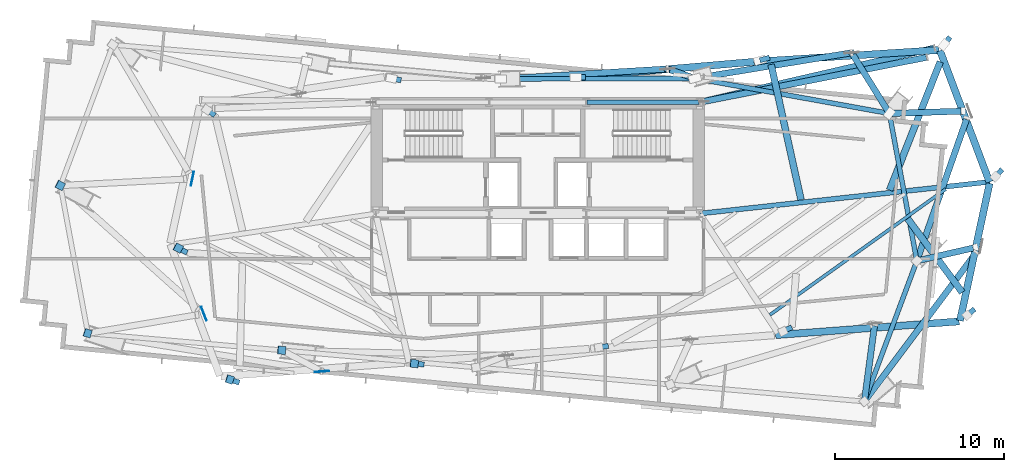
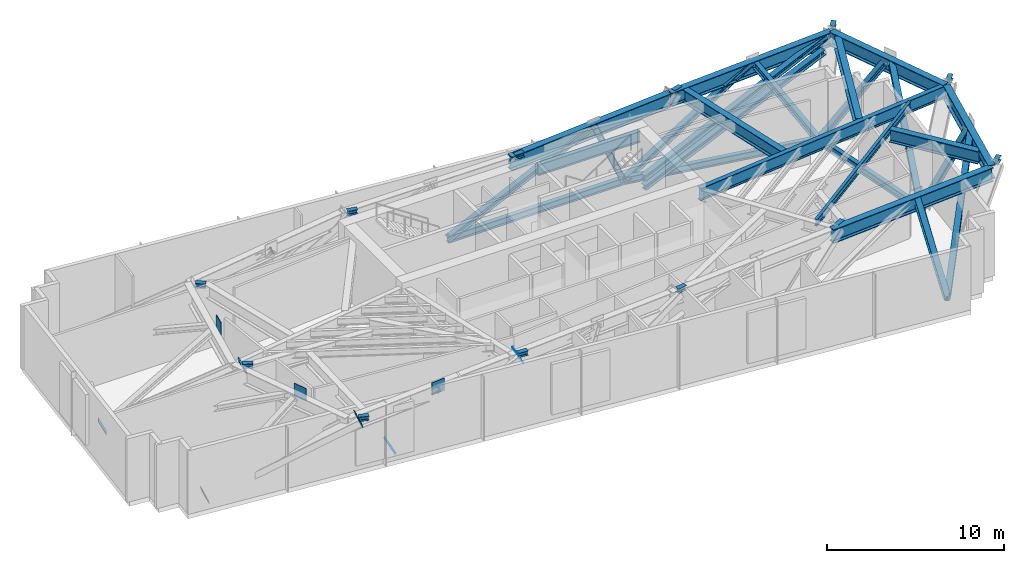
# One storey, part 3 of 10: 23 beams, 15 members, 9 plates.
"""IFC4 building model written with IfcOpenShell, lengths in metres."""

import ifcopenshell
import ifcopenshell.guid

model = None  # the IFC model being written
_history = None  # IfcOwnerHistory: only IFC2X3 demands one
_inside = {}  # id of a spatial element -> (the spatial element, [elements in it])
_under = {}  # id of a project, library or spatial element -> (it, [spatial elements below it])
_declared = {}  # id of a project -> (the project, [libraries it declares])
_typed = {}  # id of a type object -> (the type object, [elements of that type])
_made_of = {}  # id of a material, layer set ... -> (it, [elements and type objects made of it])


def new_model(schema):
    """Start an empty IFC model of exactly this schema.

    Asked for "IFC4X3", IfcOpenShell would pick the latest addendum, in which some entities
    have other attributes; the version numbers below select the first issue.
    IFC2X3 requires an IfcOwnerHistory on every rooted entity: one is made here for all.
    """
    global model, _history
    if schema == "IFC4X3":
        model = ifcopenshell.file(schema_version=(4, 3, 0, 0))
    else:
        model = ifcopenshell.file(schema=schema)
    _inside.clear()
    _under.clear()
    _declared.clear()
    _typed.clear()
    _made_of.clear()
    _history = None
    if model.schema == "IFC2X3":
        org = make("IfcOrganization", Name="unknown")
        user = make(
            "IfcPersonAndOrganization",
            ThePerson=make("IfcPerson", FamilyName="unknown"),
            TheOrganization=org,
        )
        app = make(
            "IfcApplication",
            ApplicationDeveloper=org,
            Version="unknown",
            ApplicationFullName="unknown",
            ApplicationIdentifier="unknown",
        )
        _history = make(
            "IfcOwnerHistory",
            OwningUser=user,
            OwningApplication=app,
            ChangeAction="ADDED",
            CreationDate=0,
        )
    return model


def make(cls, **values):
    """One entity of the class cls with the attributes given. An attribute that is None is left unset."""
    return model.create_entity(
        cls, **{name: value for name, value in values.items() if value is not None}
    )


def rooted(cls, **values):
    """An entity with a GlobalId (a new one), such as an element, a storey or a relation."""
    return make(cls, GlobalId=ifcopenshell.guid.new(), OwnerHistory=_history, **values)


def si_unit(unit_type, name, prefix=None):
    """IfcSIUnit, for example si_unit("LENGTHUNIT", "METRE", prefix="MILLI")."""
    return make("IfcSIUnit", UnitType=unit_type, Prefix=prefix, Name=name)


def assignment(units):
    """IfcUnitAssignment: the units of a project."""
    return None if units is None else make("IfcUnitAssignment", Units=units)


def point(xyz):
    """IfcCartesianPoint."""
    return None if xyz is None else make("IfcCartesianPoint", Coordinates=xyz)


def direction(xyz):
    """IfcDirection."""
    return None if xyz is None else make("IfcDirection", DirectionRatios=xyz)


def frame(location, z_axis=None, x_axis=None):
    """IfcAxis2Placement3D, a coordinate frame: its origin and axes. An axis left out is left unset."""
    return make(
        "IfcAxis2Placement3D",
        Location=point(location),
        Axis=direction(z_axis),
        RefDirection=direction(x_axis),
    )


def frame_2d(location, x_axis=None):
    """IfcAxis2Placement2D, a coordinate frame in the plane: its origin and x axis."""
    return make(
        "IfcAxis2Placement2D", Location=point(location), RefDirection=direction(x_axis)
    )


def origin():
    """The frame at (0, 0, 0) with its axes left unset."""
    return frame((0.0, 0.0, 0.0))


def origin_2d():
    """The frame at (0, 0) in the plane with its x axis left unset."""
    return frame_2d((0.0, 0.0))


def place(relative_to, where):
    """IfcLocalPlacement: puts the frame where relative to a parent placement (None: the world)."""
    return make(
        "IfcLocalPlacement", PlacementRelTo=relative_to, RelativePlacement=where
    )


def context(
    kind, dimensions, precision=None, world=None, true_north=None, identifier=None
):
    """IfcGeometricRepresentationContext, for example the 3D "Model" context."""
    return make(
        "IfcGeometricRepresentationContext",
        ContextIdentifier=identifier,
        ContextType=kind,
        CoordinateSpaceDimension=dimensions,
        Precision=precision,
        WorldCoordinateSystem=world,
        TrueNorth=true_north,
    )


def subcontext(parent, identifier, kind, view, scale=None):
    """IfcGeometricRepresentationSubContext, for example "Body" below "Model"."""
    return make(
        "IfcGeometricRepresentationSubContext",
        ContextIdentifier=identifier,
        ContextType=kind,
        ParentContext=parent,
        TargetScale=scale,
        TargetView=view,
    )


def project(units=None, contexts=None):
    """IfcProject with its units and contexts."""
    return rooted(
        "IfcProject",
        Name="project",
        RepresentationContexts=contexts,
        UnitsInContext=assignment(units),
    )


def spatial(cls, under=None, at=None, **own):
    """A site, building, storey or space (cls), placed at a placement, below another one or the project."""
    s = rooted(cls, ObjectPlacement=at, **own)
    if under is not None:
        _under.setdefault(under.id(), (under, []))[1].append(s)
    return s


def profile(cls, at=None, kind="AREA", **sizes):
    """A parametric profile (cls). Its sizes go by their IFC names, for example OverallWidth=200.0."""
    return make(cls, ProfileType=kind, Position=at, **sizes)


def rectangle(**sizes):
    """IfcRectangleProfileDef."""
    return profile("IfcRectangleProfileDef", **sizes)


def i_section(**sizes):
    """IfcIShapeProfileDef."""
    return profile("IfcIShapeProfileDef", **sizes)


def extrude(swept, where, along, depth):
    """IfcExtrudedAreaSolid: the profile swept, set in the frame where, extruded along a direction by depth."""
    return make(
        "IfcExtrudedAreaSolid",
        SweptArea=swept,
        Position=where,
        ExtrudedDirection=direction(along),
        Depth=depth,
    )


def shape(context_of_items, identifier, shape_type, items):
    """IfcShapeRepresentation: the items that make up one representation, for example the "Body"."""
    return make(
        "IfcShapeRepresentation",
        ContextOfItems=context_of_items,
        RepresentationIdentifier=identifier,
        RepresentationType=shape_type,
        Items=items,
    )


def source(mapping_origin, context_of_items, identifier, shape_type, items):
    """IfcRepresentationMap: a shape defined once, which mapped items show again and again."""
    return make(
        "IfcRepresentationMap",
        MappingOrigin=mapping_origin,
        MappedRepresentation=shape(context_of_items, identifier, shape_type, items),
    )


def transform(
    local_origin,
    x_axis=None,
    y_axis=None,
    z_axis=None,
    scale=None,
    scale2=None,
    scale3=None,
    uniform=True,
):
    """IfcCartesianTransformationOperator3D, or its non-uniform kind. x_axis, y_axis, z_axis: its Axis1, 2, 3."""
    if uniform:
        return make(
            "IfcCartesianTransformationOperator3D",
            Axis1=direction(x_axis),
            Axis2=direction(y_axis),
            LocalOrigin=point(local_origin),
            Scale=scale,
            Axis3=direction(z_axis),
        )
    return make(
        "IfcCartesianTransformationOperator3DnonUniform",
        Axis1=direction(x_axis),
        Axis2=direction(y_axis),
        LocalOrigin=point(local_origin),
        Scale=scale,
        Axis3=direction(z_axis),
        Scale2=scale2,
        Scale3=scale3,
    )


def mapped(mapping_source, mapping_target):
    """IfcMappedItem: shows the shape of a source again, moved by a transform."""
    return make(
        "IfcMappedItem", MappingSource=mapping_source, MappingTarget=mapping_target
    )


def material(Name=None, Category=None):
    """IfcMaterial."""
    return make("IfcMaterial", Name=Name, Category=Category)


def layer(
    of_material, thickness, ventilated=None, Name=None, Category=None, Priority=None
):
    """IfcMaterialLayer: one layer of a wall or slab, of a material (None: an air gap)."""
    return make(
        "IfcMaterialLayer",
        Material=of_material,
        LayerThickness=thickness,
        IsVentilated=ventilated,
        Name=Name,
        Category=Category,
        Priority=Priority,
    )


def layer_set(layers, Name=None):
    """IfcMaterialLayerSet."""
    return make("IfcMaterialLayerSet", MaterialLayers=layers, LayerSetName=Name)


def material_profile(
    of_material, cross_section, Name=None, Category=None, Priority=None
):
    """IfcMaterialProfile: a cross section and its material."""
    return make(
        "IfcMaterialProfile",
        Name=Name,
        Material=of_material,
        Profile=cross_section,
        Priority=Priority,
        Category=Category,
    )


def profile_set(profiles, Name=None, composite=None):
    """IfcMaterialProfileSet."""
    return make(
        "IfcMaterialProfileSet",
        Name=Name,
        MaterialProfiles=profiles,
        CompositeProfile=composite,
    )


def made_of(thing, what):
    """Note that an element or type object is made of a material, layer set ...; save() writes the relation."""
    if what is not None:
        _made_of.setdefault(what.id(), (what, []))[1].append(thing)
    return thing


def type_object(cls, material=None, **own):
    """A type object (cls), such as IfcWallType, which elements share."""
    return made_of(rooted(cls, **own), material)


def type_shapes(of_type, sources):
    """Give a type object the sources (RepresentationMaps) that its elements show as mapped items."""
    of_type.RepresentationMaps = sources


def element(
    cls,
    number,
    at=None,
    inside=None,
    cuts=None,
    type_object=None,
    material=None,
    context=None,
    identifier="Body",
    shape_type=None,
    held_by="IfcProductDefinitionShape",
    body=None,
    shapes=None,
    **own,
):
    """One element of the class cls, such as IfcWall. Its Tag is "e" and its number.

    at: its placement. inside: the storey or other place that contains it. cuts: it is an
    opening in that element (IfcRelVoidsElement). A single representation is given by context,
    identifier, shape_type and body (its items); several are given by shapes. held_by: the class
    of the entity that holds the representations. save() writes the other relations.
    """
    e = rooted(cls, Tag="e%d" % number, ObjectPlacement=at, **own)
    if body is not None:
        shapes = [shape(context, identifier, shape_type, body)]
    if shapes is not None:
        e.Representation = make(held_by, Representations=shapes)
    if inside is not None:
        _inside.setdefault(inside.id(), (inside, []))[1].append(e)
    if cuts is not None:
        rooted(
            "IfcRelVoidsElement", RelatingBuildingElement=cuts, RelatedOpeningElement=e
        )
    if type_object is not None:
        _typed.setdefault(type_object.id(), (type_object, []))[1].append(e)
    return made_of(e, material)


def aggregate(whole, parts):
    """IfcRelAggregates: a whole, such as a stair, and the parts it consists of."""
    return rooted("IfcRelAggregates", RelatingObject=whole, RelatedObjects=parts)


def save(model, path):
    """Write the relations noted so far, then the file.

    IfcRelAggregates (storeys below a building ...), IfcRelContainedInSpatialStructure (elements
    in a storey), IfcRelDefinesByType, IfcRelAssociatesMaterial and IfcRelDeclares: one each for
    every whole, place, type object, material and project.
    """
    for whole, parts in _under.values():
        aggregate(whole, parts)
    for where, things in _inside.values():
        rooted(
            "IfcRelContainedInSpatialStructure",
            RelatedElements=things,
            RelatingStructure=where,
        )
    for kind, things in _typed.values():
        rooted("IfcRelDefinesByType", RelatedObjects=things, RelatingType=kind)
    for what, things in _made_of.values():
        rooted("IfcRelAssociatesMaterial", RelatedObjects=things, RelatingMaterial=what)
    for by, libraries in _declared.values():
        rooted("IfcRelDeclares", RelatingContext=by, RelatedDefinitions=libraries)
    model.write(path)


model = new_model("IFC4")

# Units and contexts
model_context = context("Model", 3, precision=1e-05, world=origin(), true_north=direction((0.0, 1.0)))
body_context = subcontext(model_context, "Body", "Model", "MODEL_VIEW")
ifc_project = project(units=[si_unit("LENGTHUNIT", "METRE"), si_unit("AREAUNIT", "SQUARE_METRE"), si_unit("VOLUMEUNIT", "CUBIC_METRE"), si_unit("PLANEANGLEUNIT", "RADIAN"), si_unit("MASSUNIT", "GRAM", prefix="KILO")], contexts=[model_context])

# Site, building, storey
site_placement = place(None, origin())
site = spatial("IfcSite", under=ifc_project, at=site_placement, CompositionType="ELEMENT")
building_placement = place(site_placement, origin())
building = spatial("IfcBuilding", under=site, at=building_placement, Name="Astriad Promenade Condominiums", CompositionType="ELEMENT")
storey_placement = place(building_placement, frame((0.0, 0.0, 163.0)))
storey = spatial("IfcBuildingStorey", under=building, at=storey_placement, Name="L47", CompositionType="ELEMENT", Elevation=163.0)

# Beams
ifc_material_1 = material(Name="Steel ASTM A992 Grade 50", Category="steel")
ifc_material_profile_1 = material_profile(ifc_material_1, i_section(OverallWidth=0.267822265625, OverallDepth=0.76953125, WebThickness=0.015625, FlangeThickness=0.025390625, FilletRadius=0.021484375, at=origin_2d()), Name="W30X132")
ifc_profile_set_1 = profile_set([ifc_material_profile_1], Name="Steel ASTM A992 Grade 50")
beam_type_1 = type_object("IfcBeamType", Name="STEEL FLOOR GIRDER W30X132", PredefinedType="BEAM", material=ifc_profile_set_1)
shared_shape_1 = source(origin(), body_context, "Body", "SweptSolid", [
    extrude(i_section(OverallWidth=0.267822265625, OverallDepth=0.76953125, WebThickness=0.015625, FlangeThickness=0.025390625, FilletRadius=0.021484375, at=origin_2d()), origin(), (0.0, 0.0, 1.0), 6.64013671875),
])
type_shapes(beam_type_1, [shared_shape_1])
beam_1_placement = place(storey_placement, frame((38.919921875, 24.0, 3.9951171875), z_axis=(1.0, 0.0, 0.0), x_axis=(0.0, 1.0, 0.0)))
element("IfcBeam", 1, at=beam_1_placement, inside=storey, type_object=beam_type_1, Name="Core Ring Beam CG-N3-L47", PredefinedType="BEAM", context=body_context, shape_type="MappedRepresentation", body=[
    mapped(shared_shape_1, transform((0.0, 0.0, 0.0), scale=1.0)),
])
ifc_material_profile_2 = material_profile(ifc_material_1, i_section(OverallWidth=0.3046875, OverallDepth=0.307861328125, WebThickness=0.010009765625, FlangeThickness=0.015380859375, FilletRadius=0.01513671875, at=origin_2d()), Name="W12X65")
ifc_profile_set_2 = profile_set([ifc_material_profile_2], Name="Steel ASTM A992 Grade 50")
beam_type_2 = type_object("IfcBeamType", Name="STEEL TRANSFER SPLICE HEADER W12X65", PredefinedType="LINTEL", material=ifc_profile_set_2)
shared_shape_2 = source(origin(), body_context, "Body", "SweptSolid", [
    extrude(i_section(OverallWidth=0.3046875, OverallDepth=0.307861328125, WebThickness=0.010009765625, FlangeThickness=0.015380859375, FilletRadius=0.01513671875, at=origin_2d()), origin(), (0.0, 0.0, 1.0), 0.6015625),
])
for number, where, z_axis, x_axis, name in (
    (2, (39.603515625, 9.457763671875, 4.22607421875), (0.987129733267, 0.159921511064, 0.0), (-0.159921511064, 0.987129733267, 0.0), "Column Transfer Splice Header SPL-PC03-L47"),
    (3, (50.53271484375, 10.408447265625, 4.22607421875), (0.904809502529, 0.425816585084, 0.0), (-0.425816585084, 0.904809502529, 0.0), "Column Transfer Splice Header SPL-PC04-L47"),
    (4, (61.45703125, 11.355224609375, 4.22607421875), (0.766288229914, 0.642496963958, 0.0), (-0.642496963958, 0.766288229914, 0.0), "Column Transfer Splice Header SPL-PC05-L47"),
    (5, (16.359130859375, 23.572998046875, 4.22607421875), (0.822309067205, -0.569041121531, 0.0), (0.569041121531, 0.822309067205, 0.0), "Column Transfer Splice Header SPL-PC06-L47"),
    (6, (38.244873046875, 25.47900390625, 4.22607421875), (0.999768558024, 0.021513493128, 0.0), (-0.021513493128, 0.999768558024, 0.0), "Column Transfer Splice Header SPL-PC08-L47"),
    (7, (49.177001953125, 26.489990234375, 4.22607421875), (0.963697903159, 0.266995040117, 0.0), (-0.266995040117, 0.963697903159, 0.0), "Column Transfer Splice Header SPL-PC09-L47"),
    (8, (60.08544921875, 27.3994140625, 4.22607421875), (0.62147204124, 0.783436341994, 0.0), (-0.783436341994, 0.62147204124, 0.0), "Column Transfer Splice Header SPL-PC10-L47"),
    (9, (14.67529296875, 15.36181640625, 4.22607421875), (0.883540991172, -0.468353837305, 0.0), (0.468353837305, 0.883540991172, 0.0), "Column Transfer Splice Header SPL-PC11-L47"),
    (10, (63.13916015625, 19.581298828125, 4.22607421875), (0.681913209103, 0.731433096907, 0.0), (-0.731433096907, 0.681913209103, 0.0), "Column Transfer Splice Header SPL-PC12-L47"),
):
    element("IfcBeam", number, at=place(storey_placement, frame(where, z_axis=z_axis, x_axis=x_axis)), inside=storey, type_object=beam_type_2, Name=name, PredefinedType="LINTEL", context=body_context, shape_type="MappedRepresentation", body=[
        mapped(shared_shape_2, transform((0.0, 0.0, 0.0), scale=1.0)),
    ])
shared_shape_3 = source(origin(), body_context, "Body", "SweptSolid", [
    extrude(i_section(OverallWidth=0.3046875, OverallDepth=0.307861328125, WebThickness=0.010009765625, FlangeThickness=0.015380859375, FilletRadius=0.01513671875, at=origin_2d()), origin(), (0.0, 0.0, 1.0), 0.601806640625),
])
beam_2_placement = place(storey_placement, frame((27.3076171875, 25.42578125, 4.22607421875), z_axis=(0.979792701827, -0.200015653002, 0.0), x_axis=(0.200015653002, 0.979792701827, 0.0)))
element("IfcBeam", 11, at=beam_2_placement, inside=storey, type_object=beam_type_2, Name="Column Transfer Splice Header SPL-PC07-L47", PredefinedType="LINTEL", context=body_context, shape_type="MappedRepresentation", body=[
    mapped(shared_shape_3, transform((0.0, 0.0, 0.0), scale=1.0)),
])
shared_shape_4 = source(origin(), body_context, "Body", "SweptSolid", [
    extrude(i_section(OverallWidth=0.3046875, OverallDepth=0.307861328125, WebThickness=0.010009765625, FlangeThickness=0.015380859375, FilletRadius=0.01513671875, at=origin_2d()), origin(), (0.0, 0.0, 1.0), 0.601318359375),
])
type_shapes(beam_type_2, [shared_shape_2, shared_shape_3, shared_shape_4])
for number, where, z_axis, x_axis, name in (
    (12, (17.73046875, 7.560791015625, 4.22607421875), (0.950813048275, -0.30976530992, 0.0), (0.30976530992, 0.950813048275, 0.0), "Column Transfer Splice Header SPL-PC01-L47"),
    (13, (28.6689453125, 8.50732421875, 4.22607421875), (0.995041208938, -0.099463523537, 0.0), (0.099463523537, 0.995041208938, 0.0), "Column Transfer Splice Header SPL-PC02-L47"),
):
    element("IfcBeam", number, at=place(storey_placement, frame(where, z_axis=z_axis, x_axis=x_axis)), inside=storey, type_object=beam_type_2, Name=name, PredefinedType="LINTEL", context=body_context, shape_type="MappedRepresentation", body=[
        mapped(shared_shape_4, transform((0.0, 0.0, 0.0), scale=1.0)),
    ])
ifc_material_profile_3 = material_profile(ifc_material_1, i_section(OverallWidth=0.423095703125, OverallDepth=0.9482421875, WebThickness=0.02392578125, FlangeThickness=0.042724609375, FilletRadius=0.024169921875, at=origin_2d()), Name="W36X302")
ifc_profile_set_3 = profile_set([ifc_material_profile_3], Name="Steel ASTM A992 Grade 50")
beam_type_3 = type_object("IfcBeamType", Name="STEEL PERIMETER RING GIRDER W36X302", PredefinedType="BEAM", material=ifc_profile_set_3)
shared_shape_5 = source(origin(), body_context, "Body", "SweptSolid", [
    extrude(i_section(OverallWidth=0.423095703125, OverallDepth=0.9482421875, WebThickness=0.02392578125, FlangeThickness=0.042724609375, FilletRadius=0.024169921875, at=origin_2d()), origin(), (0.0, 0.0, 1.0), 10.919921875),
])
beam_3_placement = place(storey_placement, frame((50.11279296875, 10.195068359375, 3.906005859375), z_axis=(0.997248076484, 0.074136859581, 0.0), x_axis=(-0.074136859581, 0.997248076484, 0.0)))
element("IfcBeam", 14, at=beam_3_placement, inside=storey, type_object=beam_type_3, Name="Perimeter Spandrel Beam SP-S4-L47", PredefinedType="BEAM", context=body_context, shape_type="MappedRepresentation", body=[
    mapped(shared_shape_5, transform((0.0, 0.0, 0.0), scale=1.0)),
])
shared_shape_6 = source(origin(), body_context, "Body", "SweptSolid", [
    extrude(i_section(OverallWidth=0.423095703125, OverallDepth=0.9482421875, WebThickness=0.02392578125, FlangeThickness=0.042724609375, FilletRadius=0.024169921875, at=origin_2d()), origin(), (0.0, 0.0, 1.0), 8.335693359375),
])
beam_4_placement = place(storey_placement, frame((61.05078125, 11.046630859375, 3.906005859375), z_axis=(0.210705069116, 0.977549678456, 0.0), x_axis=(-0.977549678456, 0.210705069116, 0.0)))
element("IfcBeam", 15, at=beam_4_placement, inside=storey, type_object=beam_type_3, Name="Perimeter Spandrel Beam SP-E1-L47", PredefinedType="BEAM", context=body_context, shape_type="MappedRepresentation", body=[
    mapped(shared_shape_6, transform((0.0, 0.0, 0.0), scale=1.0)),
])
shared_shape_7 = source(origin(), body_context, "Body", "SweptSolid", [
    extrude(i_section(OverallWidth=0.423095703125, OverallDepth=0.9482421875, WebThickness=0.02392578125, FlangeThickness=0.042724609375, FilletRadius=0.024169921875, at=origin_2d()), origin(), (0.0, 0.0, 1.0), 8.3291015625),
])
beam_5_placement = place(storey_placement, frame((62.801513671875, 19.271484375, 3.906005859375), z_axis=(-0.35261667389, 0.935767856519, 0.0), x_axis=(-0.935767856519, -0.35261667389, 0.0)))
element("IfcBeam", 16, at=beam_5_placement, inside=storey, type_object=beam_type_3, Name="Perimeter Spandrel Beam SP-E2-L47", PredefinedType="BEAM", context=body_context, shape_type="MappedRepresentation", body=[
    mapped(shared_shape_7, transform((0.0, 0.0, 0.0), scale=1.0)),
])
shared_shape_8 = source(origin(), body_context, "Body", "SweptSolid", [
    extrude(i_section(OverallWidth=0.423095703125, OverallDepth=0.9482421875, WebThickness=0.02392578125, FlangeThickness=0.042724609375, FilletRadius=0.024169921875, at=origin_2d()), origin(), (0.0, 0.0, 1.0), 10.91162109375),
])
beam_6_placement = place(storey_placement, frame((59.810546875, 27.1005859375, 3.906005859375), z_axis=(-0.99799761046, -0.063251636471, 0.0), x_axis=(0.063251636471, -0.99799761046, 0.0)))
element("IfcBeam", 17, at=beam_6_placement, inside=storey, type_object=beam_type_3, Name="Perimeter Spandrel Beam SP-N4-L47", PredefinedType="BEAM", context=body_context, shape_type="MappedRepresentation", body=[
    mapped(shared_shape_8, transform((0.0, 0.0, 0.0), scale=1.0)),
])
shared_shape_9 = source(origin(), body_context, "Body", "SweptSolid", [
    extrude(i_section(OverallWidth=0.423095703125, OverallDepth=0.9482421875, WebThickness=0.02392578125, FlangeThickness=0.042724609375, FilletRadius=0.024169921875, at=origin_2d()), origin(), (0.0, 0.0, 1.0), 10.92919921875),
])
type_shapes(beam_type_3, [shared_shape_5, shared_shape_6, shared_shape_7, shared_shape_8, shared_shape_9])
beam_7_placement = place(storey_placement, frame((48.8408203125, 26.404541015625, 3.906005859375), z_axis=(-0.996379268937, -0.085019717908, 0.0), x_axis=(0.085019717908, -0.996379268937, 0.0)))
element("IfcBeam", 18, at=beam_7_placement, inside=storey, type_object=beam_type_3, Name="Perimeter Spandrel Beam SP-N3-L47", PredefinedType="BEAM", context=body_context, shape_type="MappedRepresentation", body=[
    mapped(shared_shape_9, transform((0.0, 0.0, 0.0), scale=1.0)),
])
ifc_material_profile_4 = material_profile(ifc_material_1, i_section(OverallWidth=0.2919921875, OverallDepth=0.85888671875, WebThickness=0.01708984375, FlangeThickness=0.031005859375, FilletRadius=0.02294921875, at=origin_2d()), Name="W33X169")
ifc_profile_set_4 = profile_set([ifc_material_profile_4], Name="Steel ASTM A992 Grade 50")
beam_type_4 = type_object("IfcBeamType", Name="STEEL PRIMARY GIRDER W33X169", PredefinedType="BEAM", material=ifc_profile_set_4)
shared_shape_10 = source(origin(), body_context, "Body", "SweptSolid", [
    extrude(i_section(OverallWidth=0.2919921875, OverallDepth=0.85888671875, WebThickness=0.01708984375, FlangeThickness=0.031005859375, FilletRadius=0.02294921875, at=origin_2d()), origin(), (0.0, 0.0, 1.0), 17.290283203125),
])
type_shapes(beam_type_4, [shared_shape_10])
beam_8_placement = place(storey_placement, frame((62.82763671875, 19.285400390625, 3.950439453125), z_axis=(-0.994064225724, -0.10879483046, 0.0), x_axis=(0.10879483046, -0.994064225724, 0.0)))
element("IfcBeam", 19, at=beam_8_placement, inside=storey, type_object=beam_type_4, Name="Primary Floor Girder PG-EM-L47", PredefinedType="BEAM", context=body_context, shape_type="MappedRepresentation", body=[
    mapped(shared_shape_10, transform((0.0, 0.0, 0.0), scale=1.0)),
])
ifc_material_profile_5 = material_profile(ifc_material_1, i_section(OverallWidth=0.19287109375, OverallDepth=0.466064453125, WebThickness=0.011474609375, FlangeThickness=0.01904296875, FilletRadius=0.01513671875, at=origin_2d()), Name="W18X65")
ifc_profile_set_5 = profile_set([ifc_material_profile_5], Name="Steel ASTM A992 Grade 50")
beam_type_5 = type_object("IfcBeamType", Name="STEEL FLOOR JOIST W18X65", PredefinedType="JOIST", material=ifc_profile_set_5)
shared_shape_11 = source(origin(), body_context, "Body", "SweptSolid", [
    extrude(i_section(OverallWidth=0.19287109375, OverallDepth=0.466064453125, WebThickness=0.011474609375, FlangeThickness=0.01904296875, FilletRadius=0.01513671875, at=origin_2d()), origin(), (0.0, 0.0, 1.0), 12.814453125),
])
type_shapes(beam_type_5, [shared_shape_11])
beam_9_placement = place(storey_placement, frame((49.77490234375, 11.393310546875, 4.14697265625), z_axis=(0.813486235357, 0.581584168357, 0.0), x_axis=(-0.581584168357, 0.813486235357, 0.0)))
element("IfcBeam", 20, at=beam_9_placement, inside=storey, type_object=beam_type_5, Name="Secondary Composite Floor Joist JE1-1-L47", PredefinedType="JOIST", context=body_context, shape_type="MappedRepresentation", body=[
    mapped(shared_shape_11, transform((0.0, 0.0, 0.0), scale=1.0)),
])
ifc_material_profile_6 = material_profile(ifc_material_1, i_section(OverallWidth=0.4013671875, OverallDepth=0.877197265625, WebThickness=0.022216796875, FlangeThickness=0.039794921875, FilletRadius=0.02294921875, at=origin_2d()), Name="W33X263")
ifc_profile_set_6 = profile_set([ifc_material_profile_6], Name="Steel ASTM A992 Grade 50")
beam_type_6 = type_object("IfcBeamType", Name="STEEL TRANSFER CARRIER GIRDER W33X263", PredefinedType="BEAM", material=ifc_profile_set_6)
shared_shape_12 = source(origin(), body_context, "Body", "SweptSolid", [
    extrude(i_section(OverallWidth=0.4013671875, OverallDepth=0.877197265625, WebThickness=0.022216796875, FlangeThickness=0.039794921875, FilletRadius=0.02294921875, at=origin_2d()), origin(), (0.0, 0.0, 1.0), 5.448974609375),
])
beam_10_placement = place(storey_placement, frame((57.94287109375, 17.10205078125, 3.94140625), z_axis=(0.595682847154, -0.803219736813, 0.0), x_axis=(0.803219736813, 0.595682847154, 0.0)))
element("IfcBeam", 21, at=beam_10_placement, inside=storey, type_object=beam_type_6, Name="Transfer Splice Carrier TRM-SP-PC05-L47", PredefinedType="BEAM", context=body_context, shape_type="MappedRepresentation", body=[
    mapped(shared_shape_12, transform((0.0, 0.0, 0.0), scale=1.0)),
])
shared_shape_13 = source(origin(), body_context, "Body", "SweptSolid", [
    extrude(i_section(OverallWidth=0.4013671875, OverallDepth=0.877197265625, WebThickness=0.022216796875, FlangeThickness=0.039794921875, FilletRadius=0.02294921875, at=origin_2d()), origin(), (0.0, 0.0, 1.0), 8.22509765625),
])
beam_11_placement = place(storey_placement, frame((51.62158203125, 18.216064453125, 3.94140625), z_axis=(-0.215877492158, 0.97642045676, 0.0), x_axis=(-0.97642045676, -0.215877492158, 0.0)))
element("IfcBeam", 22, at=beam_11_placement, inside=storey, type_object=beam_type_6, Name="Transfer Splice Carrier TRM-SP-PC09-L47", PredefinedType="BEAM", context=body_context, shape_type="MappedRepresentation", body=[
    mapped(shared_shape_13, transform((0.0, 0.0, 0.0), scale=1.0)),
])
shared_shape_14 = source(origin(), body_context, "Body", "SweptSolid", [
    extrude(i_section(OverallWidth=0.4013671875, OverallDepth=0.877197265625, WebThickness=0.022216796875, FlangeThickness=0.039794921875, FilletRadius=0.02294921875, at=origin_2d()), origin(), (0.0, 0.0, 1.0), 8.185546875),
])
type_shapes(beam_type_6, [shared_shape_12, shared_shape_13, shared_shape_14])
beam_12_placement = place(storey_placement, frame((56.876220703125, 18.789794921875, 3.94140625), z_axis=(0.367036148295, 0.930206679101, 0.0), x_axis=(-0.930206679101, 0.367036148295, 0.0)))
element("IfcBeam", 23, at=beam_12_placement, inside=storey, type_object=beam_type_6, Name="Transfer Splice Carrier TRM-SP-PC10-L47", PredefinedType="BEAM", context=body_context, shape_type="MappedRepresentation", body=[
    mapped(shared_shape_14, transform((0.0, 0.0, 0.0), scale=1.0)),
])

# Members
ifc_material_profile_7 = material_profile(ifc_material_1, i_section(OverallWidth=0.368896484375, OverallDepth=0.356201171875, WebThickness=0.01123046875, FlangeThickness=0.01806640625, FilletRadius=0.017822265625, at=origin_2d()), Name="W14X90")
ifc_profile_set_7 = profile_set([ifc_material_profile_7], Name="Steel ASTM A992 Grade 50")
member_type_1 = type_object("IfcMemberType", Name="STEEL BELT TRUSS DIAGONAL W14X90", PredefinedType="BRACE", material=ifc_profile_set_7)
shared_shape_15 = source(origin(), body_context, "Body", "SweptSolid", [
    extrude(i_section(OverallWidth=0.368896484375, OverallDepth=0.356201171875, WebThickness=0.01123046875, FlangeThickness=0.01806640625, FilletRadius=0.017822265625, at=origin_2d()), origin(), (0.0, 0.0, 1.0), 6.13525390625),
])
member_1_placement = place(storey_placement, frame((55.38037109375, 6.275390625, 0.156494140625), z_axis=(0.099722441328, 0.747798929544, 0.656393323906), x_axis=(-0.991225136421, 0.132184450398, 0.0)))
element("IfcMember", 24, at=member_1_placement, inside=storey, type_object=member_type_1, Name="Belt Truss Diagonal L47-04B", PredefinedType="BRACE", context=body_context, shape_type="MappedRepresentation", body=[
    mapped(shared_shape_15, transform((0.0, 0.0, 0.0), scale=1.0)),
])
ifc_material_profile_8 = material_profile(ifc_material_1, i_section(OverallWidth=0.283447265625, OverallDepth=0.489013671875, WebThickness=0.01708984375, FlangeThickness=0.030517578125, FilletRadius=0.01513671875, at=origin_2d()), Name="W18X130")
ifc_profile_set_8 = profile_set([ifc_material_profile_8], Name="Steel ASTM A992 Grade 50")
member_type_2 = type_object("IfcMemberType", Name="STEEL BELT TRUSS CHORD W18X130", PredefinedType="CHORD", material=ifc_profile_set_8)
shared_shape_16 = source(origin(), body_context, "Body", "SweptSolid", [
    extrude(i_section(OverallWidth=0.283447265625, OverallDepth=0.489013671875, WebThickness=0.01708984375, FlangeThickness=0.030517578125, FilletRadius=0.01513671875, at=origin_2d()), origin(), (0.0, 0.0, 1.0), 11.4638671875),
])
member_2_placement = place(storey_placement, frame((33.837646484375, 25.384521484375, 0.139892578125), z_axis=(0.999994481343, 0.003322240802, 0.0), x_axis=(-0.003322240802, 0.999994481343, 0.0)))
element("IfcMember", 25, at=member_2_placement, inside=storey, type_object=member_type_2, Name="Belt Truss Chord L47-07", PredefinedType="CHORD", context=body_context, shape_type="MappedRepresentation", body=[
    mapped(shared_shape_16, transform((0.0, 0.0, 0.0), scale=1.0)),
])
shared_shape_17 = source(origin(), body_context, "Body", "SweptSolid", [
    extrude(i_section(OverallWidth=0.368896484375, OverallDepth=0.356201171875, WebThickness=0.01123046875, FlangeThickness=0.01806640625, FilletRadius=0.017822265625, at=origin_2d()), origin(), (0.0, 0.0, 1.0), 10.65234375),
])
member_3_placement = place(storey_placement, frame((33.835693359375, 25.3857421875, 0.1494140625), z_axis=(0.923564191843, 0.055853436621, 0.379354157962), x_axis=(-0.060365677723, 0.99817632959, 0.0)))
element("IfcMember", 26, at=member_3_placement, inside=storey, type_object=member_type_1, Name="Belt Truss Diagonal L47-07A", PredefinedType="BRACE", context=body_context, shape_type="MappedRepresentation", body=[
    mapped(shared_shape_17, transform((0.0, 0.0, 0.0), scale=1.0)),
])
shared_shape_18 = source(origin(), body_context, "Body", "SweptSolid", [
    extrude(i_section(OverallWidth=0.368896484375, OverallDepth=0.356201171875, WebThickness=0.01123046875, FlangeThickness=0.01806640625, FilletRadius=0.017822265625, at=origin_2d()), origin(), (0.0, 0.0, 1.0), 4.360595703125),
])
member_4_placement = place(storey_placement, frame((45.3173828125, 25.42578125, 0.1630859375), z_axis=(-0.369528340764, 0.126871396996, 0.920517492499), x_axis=(-0.324727305226, -0.945807685125, 0.0)))
element("IfcMember", 27, at=member_4_placement, inside=storey, type_object=member_type_1, Name="Belt Truss Diagonal L47-07B", PredefinedType="BRACE", context=body_context, shape_type="MappedRepresentation", body=[
    mapped(shared_shape_18, transform((0.0, 0.0, 0.0), scale=1.0)),
])
shared_shape_19 = source(origin(), body_context, "Body", "SweptSolid", [
    extrude(i_section(OverallWidth=0.283447265625, OverallDepth=0.489013671875, WebThickness=0.01708984375, FlangeThickness=0.030517578125, FilletRadius=0.01513671875, at=origin_2d()), origin(), (0.0, 0.0, 1.0), 11.67431640625),
])
member_5_placement = place(storey_placement, frame((45.351318359375, 25.418212890625, 0.139892578125), z_axis=(0.984089333902, -0.177674373225, 0.0), x_axis=(0.177674373225, 0.984089333902, 0.0)))
element("IfcMember", 28, at=member_5_placement, inside=storey, type_object=member_type_2, Name="Belt Truss Chord L47-08", PredefinedType="CHORD", context=body_context, shape_type="MappedRepresentation", body=[
    mapped(shared_shape_19, transform((0.0, 0.0, 0.0), scale=1.0)),
])
shared_shape_20 = source(origin(), body_context, "Body", "SweptSolid", [
    extrude(i_section(OverallWidth=0.368896484375, OverallDepth=0.356201171875, WebThickness=0.01123046875, FlangeThickness=0.01806640625, FilletRadius=0.017822265625, at=origin_2d()), origin(), (0.0, 0.0, 1.0), 10.207275390625),
])
member_6_placement = place(storey_placement, frame((45.349365234375, 25.42626953125, 0.14990234375), z_axis=(0.906292571949, 0.148174566077, 0.395825810171), x_axis=(-0.161352971415, 0.986896761883, 0.0)))
element("IfcMember", 29, at=member_6_placement, inside=storey, type_object=member_type_1, Name="Belt Truss Diagonal L47-08A", PredefinedType="BRACE", context=body_context, shape_type="MappedRepresentation", body=[
    mapped(shared_shape_20, transform((0.0, 0.0, 0.0), scale=1.0)),
])
shared_shape_21 = source(origin(), body_context, "Body", "SweptSolid", [
    extrude(i_section(OverallWidth=0.368896484375, OverallDepth=0.356201171875, WebThickness=0.01123046875, FlangeThickness=0.01806640625, FilletRadius=0.017822265625, at=origin_2d()), origin(), (0.0, 0.0, 1.0), 5.822998046875),
])
member_7_placement = place(storey_placement, frame((56.85498046875, 23.354736328125, 0.1572265625), z_axis=(-0.381751579434, 0.613485898987, 0.691303683878), x_axis=(-0.849039829654, -0.528328844245, 0.0)))
element("IfcMember", 30, at=member_7_placement, inside=storey, type_object=member_type_1, Name="Belt Truss Diagonal L47-08B", PredefinedType="BRACE", context=body_context, shape_type="MappedRepresentation", body=[
    mapped(shared_shape_21, transform((0.0, 0.0, 0.0), scale=1.0)),
])
shared_shape_22 = source(origin(), body_context, "Body", "SweptSolid", [
    extrude(i_section(OverallWidth=0.283447265625, OverallDepth=0.489013671875, WebThickness=0.01708984375, FlangeThickness=0.030517578125, FilletRadius=0.01513671875, at=origin_2d()), origin(), (0.0, 0.0, 1.0), 8.85009765625),
])
member_8_placement = place(storey_placement, frame((55.386474609375, 6.280029296875, 0.139892578125), z_axis=(0.349850365153, 0.936805594562, 0.0), x_axis=(-0.936805594562, 0.349850365153, 0.0)))
element("IfcMember", 31, at=member_8_placement, inside=storey, type_object=member_type_2, Name="Belt Truss Chord L47-11", PredefinedType="CHORD", context=body_context, shape_type="MappedRepresentation", body=[
    mapped(shared_shape_22, transform((0.0, 0.0, 0.0), scale=1.0)),
])
shared_shape_23 = source(origin(), body_context, "Body", "SweptSolid", [
    extrude(i_section(OverallWidth=0.368896484375, OverallDepth=0.356201171875, WebThickness=0.01123046875, FlangeThickness=0.01806640625, FilletRadius=0.017822265625, at=origin_2d()), origin(), (0.0, 0.0, 1.0), 11.69091796875),
])
member_9_placement = place(storey_placement, frame((55.39208984375, 6.275634765625, 0.148193359375), z_axis=(0.566497149703, 0.754069583021, 0.332355296845), x_axis=(-0.799518822781, 0.600641034245, 0.0)))
element("IfcMember", 32, at=member_9_placement, inside=storey, type_object=member_type_1, Name="Belt Truss Diagonal L47-11A", PredefinedType="BRACE", context=body_context, shape_type="MappedRepresentation", body=[
    mapped(shared_shape_23, transform((0.0, 0.0, 0.0), scale=1.0)),
])
shared_shape_24 = source(origin(), body_context, "Body", "SweptSolid", [
    extrude(i_section(OverallWidth=0.368896484375, OverallDepth=0.356201171875, WebThickness=0.01123046875, FlangeThickness=0.01806640625, FilletRadius=0.017822265625, at=origin_2d()), origin(), (0.0, 0.0, 1.0), 5.108642578125),
])
member_10_placement = place(storey_placement, frame((58.50830078125, 14.597900390625, 0.157958984375), z_axis=(0.675694985747, 0.155172333172, 0.720664855015), x_axis=(-0.223822300821, 0.974629969606, 0.0)))
element("IfcMember", 33, at=member_10_placement, inside=storey, type_object=member_type_1, Name="Belt Truss Diagonal L47-11B", PredefinedType="BRACE", context=body_context, shape_type="MappedRepresentation", body=[
    mapped(shared_shape_24, transform((0.0, 0.0, 0.0), scale=1.0)),
])
shared_shape_25 = source(origin(), body_context, "Body", "SweptSolid", [
    extrude(i_section(OverallWidth=0.283447265625, OverallDepth=0.489013671875, WebThickness=0.01708984375, FlangeThickness=0.030517578125, FilletRadius=0.01513671875, at=origin_2d()), origin(), (0.0, 0.0, 1.0), 8.845458984375),
])
type_shapes(member_type_2, [shared_shape_16, shared_shape_19, shared_shape_22, shared_shape_25])
member_11_placement = place(storey_placement, frame((58.48681640625, 14.61865234375, 0.139892578125), z_axis=(-0.182908536581, 0.98312993406, 0.0), x_axis=(-0.98312993406, -0.182908536581, 0.0)))
element("IfcMember", 34, at=member_11_placement, inside=storey, type_object=member_type_2, Name="Belt Truss Chord L47-12", PredefinedType="CHORD", context=body_context, shape_type="MappedRepresentation", body=[
    mapped(shared_shape_25, transform((0.0, 0.0, 0.0), scale=1.0)),
])
shared_shape_26 = source(origin(), body_context, "Body", "SweptSolid", [
    extrude(i_section(OverallWidth=0.368896484375, OverallDepth=0.356201171875, WebThickness=0.01123046875, FlangeThickness=0.01806640625, FilletRadius=0.017822265625, at=origin_2d()), origin(), (0.0, 0.0, 1.0), 9.73974609375),
])
member_12_placement = place(storey_placement, frame((58.498779296875, 14.61572265625, 0.14990234375), z_axis=(0.304054493522, 0.866668104989, 0.395521504805), x_axis=(-0.943613444003, 0.331049344201, 0.0)))
element("IfcMember", 35, at=member_12_placement, inside=storey, type_object=member_type_1, Name="Belt Truss Diagonal L47-12A", PredefinedType="BRACE", context=body_context, shape_type="MappedRepresentation", body=[
    mapped(shared_shape_26, transform((0.0, 0.0, 0.0), scale=1.0)),
])
shared_shape_27 = source(origin(), body_context, "Body", "SweptSolid", [
    extrude(i_section(OverallWidth=0.368896484375, OverallDepth=0.356201171875, WebThickness=0.01123046875, FlangeThickness=0.01806640625, FilletRadius=0.017822265625, at=origin_2d()), origin(), (0.0, 0.0, 1.0), 5.723876953125),
])
type_shapes(member_type_1, [shared_shape_15, shared_shape_17, shared_shape_18, shared_shape_20, shared_shape_21, shared_shape_23, shared_shape_24, shared_shape_26, shared_shape_27])
member_13_placement = place(storey_placement, frame((56.88330078125, 23.340087890625, 0.15625), z_axis=(0.75981757363, 0.024141503687, 0.649687957872), x_axis=(-0.031756737691, 0.99949562761, 0.0)))
element("IfcMember", 36, at=member_13_placement, inside=storey, type_object=member_type_1, Name="Belt Truss Diagonal L47-12B", PredefinedType="BRACE", context=body_context, shape_type="MappedRepresentation", body=[
    mapped(shared_shape_27, transform((0.0, 0.0, 0.0), scale=1.0)),
])
ifc_material_profile_9 = material_profile(ifc_material_1, i_section(OverallWidth=0.37255859375, OverallDepth=0.367919921875, WebThickness=0.014892578125, FlangeThickness=0.02392578125, FilletRadius=0.017822265625, at=origin_2d()), Name="W14X120")
ifc_profile_set_9 = profile_set([ifc_material_profile_9], Name="Steel ASTM A992 Grade 50")
member_type_3 = type_object("IfcMemberType", Name="STEEL OUTRIGGER DIAGONAL W14X120", PredefinedType="BRACE", material=ifc_profile_set_9)
shared_shape_28 = source(origin(), body_context, "Body", "SweptSolid", [
    extrude(i_section(OverallWidth=0.37255859375, OverallDepth=0.367919921875, WebThickness=0.014892578125, FlangeThickness=0.02392578125, FilletRadius=0.017822265625, at=origin_2d()), origin(), (0.0, 0.0, 1.0), 13.847412109375),
])
member_14_placement = place(storey_placement, frame((45.867431640625, 24.052978515625, 0.3037109375), z_axis=(0.955058947005, 0.189372127557, 0.228036411677), x_axis=(-0.194496606502, 0.980903190972, 0.0)))
element("IfcMember", 37, at=member_14_placement, inside=storey, type_object=member_type_3, Name="Outrigger Truss Diagonal L47-02A", PredefinedType="BRACE", context=body_context, shape_type="MappedRepresentation", body=[
    mapped(shared_shape_28, transform((0.0, 0.0, 0.0), scale=1.0)),
])
shared_shape_29 = source(origin(), body_context, "Body", "SweptSolid", [
    extrude(i_section(OverallWidth=0.37255859375, OverallDepth=0.367919921875, WebThickness=0.014892578125, FlangeThickness=0.02392578125, FilletRadius=0.017822265625, at=origin_2d()), origin(), (0.0, 0.0, 1.0), 14.364990234375),
])
type_shapes(member_type_3, [shared_shape_28, shared_shape_29])
member_15_placement = place(storey_placement, frame((45.86669921875, 24.061767578125, 0.9794921875), z_axis=(0.952062855554, 0.220212760531, 0.212326774509), x_axis=(-0.225351052698, 0.974277631401, 0.0)))
element("IfcMember", 38, at=member_15_placement, inside=storey, type_object=member_type_3, Name="Outrigger Truss Diagonal L47-02B", PredefinedType="BRACE", context=body_context, shape_type="MappedRepresentation", body=[
    mapped(shared_shape_29, transform((0.0, 0.0, 0.0), scale=1.0)),
])

# Plates
ifc_material_2 = material(Name="Steel ASTM A572 Grade 50", Category="steel")
ifc_layer_1 = layer(ifc_material_2, 0.02490234375)
ifc_layer_set_1 = layer_set([ifc_layer_1], Name="Steel ASTM A572 Grade 50")
plate_type_1 = type_object("IfcPlateType", Name="STEEL HOLLOW SECTION END CAP PLATE 30", PredefinedType="USERDEFINED", material=ifc_layer_set_1)
shared_shape_30 = source(origin(), body_context, "Body", "SweptSolid", [
    extrude(rectangle(XDim=0.467529296875, YDim=1.015625, at=origin_2d()), origin(), (0.0, 0.0, 1.0), 0.02490234375),
])
type_shapes(plate_type_1, [shared_shape_30])
for number, where, z_axis, x_axis, name in (
    (39, (9.298095703125, 10.30712890625, 0.19677734375), (0.867627822168, -0.282589993055, 0.409102503079), (0.309691589023, 0.950837062639, 0.0), "Hollow Section End Cap Plate COL-PC01-L47-A"),
    (40, (17.73046875, 7.560791015625, 4.1728515625), (0.867627822168, -0.282589993055, 0.409102503079), (0.309691589023, 0.950837062639, 0.0), "Hollow Section End Cap Plate COL-PC01-L47-B"),
    (41, (20.805419921875, 9.293701171875, 0.191650390625), (0.888454995266, -0.088839834027, 0.450283472135), (0.099497436685, 0.995037818424, 0.0), "Hollow Section End Cap Plate COL-PC02-L47-A"),
    (42, (28.6689453125, 8.507568359375, 4.177001953125), (0.888454995266, -0.088839834027, 0.450283472135), (0.099497436685, 0.995037818424, 0.0), "Hollow Section End Cap Plate COL-PC02-L47-B"),
    (43, (7.674560546875, 19.072998046875, 0.19189453125), (0.789315300881, -0.418435476937, 0.449325168932), (0.468379596616, 0.883527336008, 0.0), "Hollow Section End Cap Plate COL-PC11-L47-A"),
    (44, (14.675537109375, 15.36181640625, 4.177001953125), (0.789315300881, -0.418435476937, 0.449325168932), (0.468379596616, 0.883527336008, 0.0), "Hollow Section End Cap Plate COL-PC11-L47-B"),
):
    element("IfcPlate", number, at=place(storey_placement, frame(where, z_axis=z_axis, x_axis=x_axis)), inside=storey, type_object=plate_type_1, Name=name, ObjectType="STIFFENER_PLATE", PredefinedType="USERDEFINED", context=body_context, shape_type="MappedRepresentation", body=[
        mapped(shared_shape_30, transform((0.0, 0.0, 0.0), scale=1.0)),
    ])
ifc_layer_2 = layer(ifc_material_2, 0.0400390625)
ifc_layer_set_2 = layer_set([ifc_layer_2], Name="Steel ASTM A572 Grade 50")
plate_type_2 = type_object("IfcPlateType", Name="STEEL TRUSS NODE GUSSET PLATE 40", PredefinedType="USERDEFINED", material=ifc_layer_set_2)
shared_shape_31 = source(origin(), body_context, "Body", "SweptSolid", [
    extrude(rectangle(XDim=0.85009765625, YDim=0.0400390625, at=origin_2d()), origin(), (0.0, 0.0, 1.0), 0.85009765625),
])
type_shapes(plate_type_2, [shared_shape_31])
for number, where, z_axis, x_axis, name in (
    (45, (23.19970703125, 8.0341796875, 3.77490234375), (0.0, 0.0, 1.0), (0.996270376493, 0.086286365798, 0.0), "Truss Gusset Plate GP-BELT-L47-01"),
    (46, (16.202880859375, 11.46142578125, 3.77490234375), (0.0, 0.0, 1.0), (-0.364714278886, 0.931119484694, 0.0), "Truss Gusset Plate GP-BELT-L47-09"),
    (47, (15.51708984375, 19.46728515625, 3.77490234375), (0.0, 0.0, 1.0), (0.20090694995, 0.979610329397, 0.0), "Truss Gusset Plate GP-BELT-L47-10"),
):
    element("IfcPlate", number, at=place(storey_placement, frame(where, z_axis=z_axis, x_axis=x_axis)), inside=storey, type_object=plate_type_2, Name=name, ObjectType="GUSSET_PLATE", PredefinedType="USERDEFINED", context=body_context, shape_type="MappedRepresentation", body=[
        mapped(shared_shape_31, transform((0.0, 0.0, 0.0), scale=1.0)),
    ])

save(model, "model.ifc")
